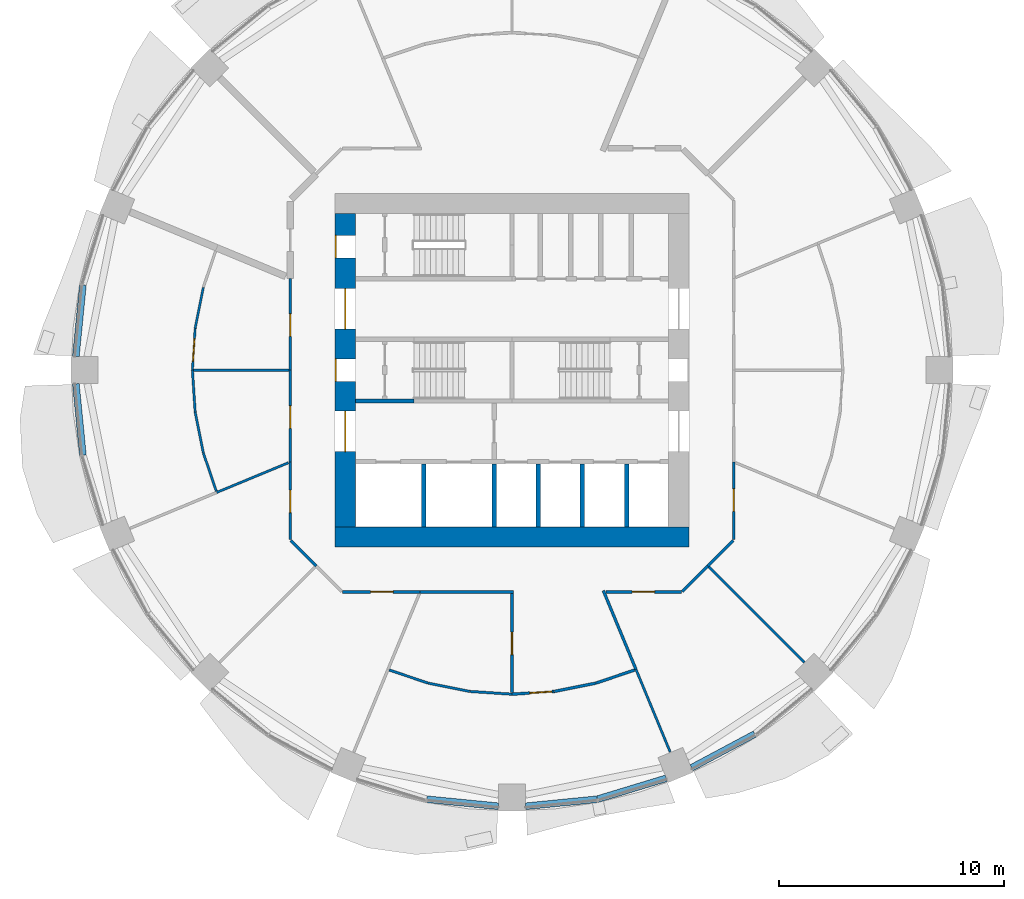
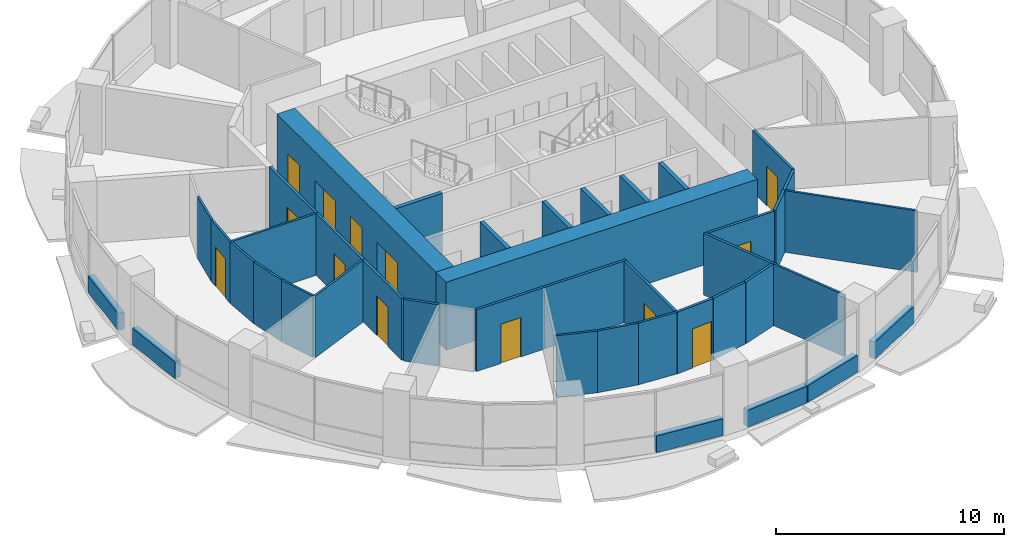
# One storey, part 8 of 15: 41 walls, 13 doors, 13 openings.
"""IFC4 building model written with IfcOpenShell, lengths in metres."""

from ifc_helpers import new_model, si_unit, direction, frame, frame_2d, origin, place, context, subcontext, project, spatial, rectangle, extrude, material, layer, layer_set, type_object, element, fill, save


model = new_model("IFC4")

# Units and contexts
model_context = context("Model", 3, precision=1e-05, world=origin(), true_north=direction((0.0, 1.0)))
body_context = subcontext(model_context, "Body", "Model", "MODEL_VIEW")
ifc_project = project(units=[si_unit("LENGTHUNIT", "METRE"), si_unit("AREAUNIT", "SQUARE_METRE"), si_unit("VOLUMEUNIT", "CUBIC_METRE"), si_unit("PLANEANGLEUNIT", "RADIAN"), si_unit("MASSUNIT", "GRAM", prefix="KILO")], contexts=[model_context])

# Site, building, storey
site_placement = place(None, origin())
site = spatial("IfcSite", under=ifc_project, at=site_placement, CompositionType="ELEMENT")
building_placement = place(site_placement, origin())
building = spatial("IfcBuilding", under=site, at=building_placement, Name="Polderwave Tower", CompositionType="ELEMENT")
storey_placement = place(building_placement, frame((0.0, 0.0, 55.39990234375)))
storey = spatial("IfcBuildingStorey", under=building, at=storey_placement, Name="L14", CompositionType="ELEMENT", Elevation=55.39990234375)

# Wall
ifc_material_1 = material(Name="Concrete C80/95", Category="concrete")
ifc_layer_1 = layer(ifc_material_1, 0.89990234375)
ifc_layer_set_1 = layer_set([ifc_layer_1], Name="CORE WALL 900 C80/95")
wall_type_1 = type_object("IfcWallType", Name="CORE WALL 900 C80/95", PredefinedType="SHEAR", material=ifc_layer_set_1)
wall_1_placement = place(storey_placement, frame((-7.8740234375, -7.424072265625, 0.0), z_axis=(0.0, 0.0, 1.0), x_axis=(1.0, 0.0, 0.0)))
element("IfcWall", 1, at=wall_1_placement, inside=storey, type_object=wall_type_1, Name="ST-CORE-L14-S", PredefinedType="SHEAR", context=body_context, shape_type="SweptSolid", body=[
    extrude(rectangle(XDim=15.748046875, YDim=0.89990234375, at=frame_2d((7.8740234375, 0.0))), origin(), (0.0, 0.0, 1.0), 3.650146484375),
])

# Wall, openings, doors
wall_2_placement = place(storey_placement, frame((-7.424072265625, -6.97412109375, 0.0), z_axis=(0.0, 0.0, 1.0), x_axis=(0.0, 1.0, 0.0)))
wall_2 = element("IfcWall", 2, at=wall_2_placement, inside=storey, type_object=wall_type_1, Name="ST-CORE-L14-W", PredefinedType="SHEAR", context=body_context, shape_type="SweptSolid", body=[
    extrude(rectangle(XDim=13.9482421875, YDim=0.89990234375, at=frame_2d((6.97412109375, 0.0))), origin(), (0.0, 0.0, 1.0), 3.650146484375),
])
opening_1_placement = place(wall_2_placement, frame((6.47412109375, 0.0, 0.0)))
opening_1 = element("IfcOpeningElement", 3, at=opening_1_placement, cuts=wall_2, Name="Opening L14-D19", PredefinedType="OPENING", context=body_context, shape_type="SweptSolid", body=[
    extrude(rectangle(XDim=1.0, YDim=2.10009765625, at=frame_2d((0.5, 1.050048828125))), frame((0.0, 0.4599609375, 0.0), z_axis=(0.0, -1.0, 0.0), x_axis=(1.0, 0.0, 0.0)), (0.0, 0.0, 1.0), 0.919921875),
])
opening_2_placement = place(wall_2_placement, frame((3.349609375, 0.0, 0.0)))
opening_2 = element("IfcOpeningElement", 4, at=opening_2_placement, cuts=wall_2, Name="Opening L14-D20", PredefinedType="OPENING", context=body_context, shape_type="SweptSolid", body=[
    extrude(rectangle(XDim=1.800048828125, YDim=2.10009765625, at=frame_2d((0.89990234375, 1.050048828125))), frame((0.0, 0.4599609375, 0.0), z_axis=(0.0, -1.0, 0.0), x_axis=(1.0, 0.0, 0.0)), (0.0, 0.0, 1.0), 0.919921875),
])
opening_3_placement = place(wall_2_placement, frame((8.798583984375, 0.0, 0.0)))
opening_3 = element("IfcOpeningElement", 5, at=opening_3_placement, cuts=wall_2, Name="Opening L14-D21", PredefinedType="OPENING", context=body_context, shape_type="SweptSolid", body=[
    extrude(rectangle(XDim=1.800048828125, YDim=2.10009765625, at=frame_2d((0.89990234375, 1.050048828125))), frame((0.0, 0.4599609375, 0.0), z_axis=(0.0, -1.0, 0.0), x_axis=(1.0, 0.0, 0.0)), (0.0, 0.0, 1.0), 0.919921875),
])
opening_4_placement = place(wall_2_placement, frame((11.97412109375, 0.0, 0.0)))
opening_4 = element("IfcOpeningElement", 6, at=opening_4_placement, cuts=wall_2, Name="Opening L14-D22", PredefinedType="OPENING", context=body_context, shape_type="SweptSolid", body=[
    extrude(rectangle(XDim=1.0, YDim=2.10009765625, at=frame_2d((0.5, 1.050048828125))), frame((0.0, 0.4599609375, 0.0), z_axis=(0.0, -1.0, 0.0), x_axis=(1.0, 0.0, 0.0)), (0.0, 0.0, 1.0), 0.919921875),
])
ifc_material_2 = material(Name="Steel fire door", Category="steel")
door_type_1 = type_object("IfcDoorType", Name="Lobby entry door pair 1800", OperationType="DOUBLE_DOOR_SINGLE_SWING", PredefinedType="DOOR", material=ifc_material_2)
door_1_placement = place(opening_2_placement, origin())
door_1 = element("IfcDoor", 7, at=door_1_placement, inside=storey, type_object=door_type_1, Name="Fire-fighting lobby entry door", OperationType="DOUBLE_DOOR_SINGLE_SWING", OverallHeight=2.10009765625, OverallWidth=1.800048828125, PredefinedType="DOOR", context=body_context, shape_type="SweptSolid", body=[
    extrude(rectangle(XDim=1.800048828125, YDim=2.10009765625, at=frame_2d((0.89990234375, 1.050048828125))), frame((0.0, 0.02490234375, 0.0), z_axis=(0.0, -1.0, 0.0), x_axis=(1.0, 0.0, 0.0)), (0.0, 0.0, 1.0), 0.050048828125),
])
fill(opening_2, door_1)
door_2_placement = place(opening_3_placement, origin())
door_2 = element("IfcDoor", 8, at=door_2_placement, inside=storey, type_object=door_type_1, Name="North lobby entry door", OperationType="DOUBLE_DOOR_SINGLE_SWING", OverallHeight=2.10009765625, OverallWidth=1.800048828125, PredefinedType="DOOR", context=body_context, shape_type="SweptSolid", body=[
    extrude(rectangle(XDim=1.800048828125, YDim=2.10009765625, at=frame_2d((0.89990234375, 1.050048828125))), frame((0.0, 0.02490234375, 0.0), z_axis=(0.0, -1.0, 0.0), x_axis=(1.0, 0.0, 0.0)), (0.0, 0.0, 1.0), 0.050048828125),
])
fill(opening_3, door_2)
door_type_2 = type_object("IfcDoorType", Name="Stair door 1000", OperationType="NOTDEFINED", PredefinedType="DOOR", material=ifc_material_2)
door_3_placement = place(opening_1_placement, origin())
door_3 = element("IfcDoor", 9, at=door_3_placement, inside=storey, type_object=door_type_2, Name="Stair A entry door", OperationType="SINGLE_SWING_RIGHT", OverallHeight=2.10009765625, OverallWidth=1.0, PredefinedType="DOOR", context=body_context, shape_type="SweptSolid", body=[
    extrude(rectangle(XDim=1.0, YDim=2.10009765625, at=frame_2d((0.5, 1.050048828125))), frame((0.0, 0.4501953125, 0.0), z_axis=(0.0, -1.0, 0.0), x_axis=(1.0, 0.0, 0.0)), (0.0, 0.0, 1.0), 0.050048828125),
])
fill(opening_1, door_3)
door_4_placement = place(opening_4_placement, origin())
door_4 = element("IfcDoor", 10, at=door_4_placement, inside=storey, type_object=door_type_2, Name="Stair C entry door", OperationType="SINGLE_SWING_RIGHT", OverallHeight=2.10009765625, OverallWidth=1.0, PredefinedType="DOOR", context=body_context, shape_type="SweptSolid", body=[
    extrude(rectangle(XDim=1.0, YDim=2.10009765625, at=frame_2d((0.5, 1.050048828125))), frame((0.0, 0.4501953125, 0.0), z_axis=(0.0, -1.0, 0.0), x_axis=(1.0, 0.0, 0.0)), (0.0, 0.0, 1.0), 0.050048828125),
])
fill(opening_4, door_4)

# Walls
ifc_material_3 = material(Name="Concrete C50/60 (board-marked)", Category="concrete")
ifc_layer_2 = layer(ifc_material_3, 0.300048828125)
ifc_layer_set_2 = layer_set([ifc_layer_2], Name="Concrete spandrel upstand C50/60")
wall_type_2 = type_object("IfcWallType", Name="Concrete spandrel upstand C50/60", PredefinedType="SOLIDWALL", material=ifc_layer_set_2)
for number, where, z_axis, x_axis, name in (
    (11, (-19.107421875, 3.78515625, 0.0), (0.0, 0.0, 1.0), (-0.097880808755, -0.995198144732, 0.0), "Spandrel L14 8b"),
    (12, (-19.41943359375, -0.61279296875, 0.0), (0.0, 0.0, 1.0), (0.097880808755, -0.995198144732, 0.0), "Spandrel L14 9a"),
    (13, (-3.78515625, -19.107421875, 0.0), (0.0, 0.0, 1.0), (0.995198144732, -0.097880808755, 0.0), "Spandrel L14 12b"),
    (14, (0.61279296875, -19.41943359375, 0.0), (0.0, 0.0, 1.0), (0.995198144732, 0.097880808755, 0.0), "Spandrel L14 13a"),
):
    element("IfcWall", number, at=place(storey_placement, frame(where, z_axis=z_axis, x_axis=x_axis)), inside=storey, type_object=wall_type_2, Name=name, PredefinedType="SOLIDWALL", context=body_context, shape_type="SweptSolid", body=[
        extrude(rectangle(XDim=3.187744140625, YDim=0.300048828125, at=frame_2d((1.59375, 0.0))), origin(), (0.0, 0.0, 1.0), 0.900146484375),
    ])
wall_3_placement = place(storey_placement, frame((3.814453125, -19.1015625, 0.0), z_axis=(0.0, 0.0, 1.0), x_axis=(0.956849017819, 0.290585541792, 0.0)))
element("IfcWall", 15, at=wall_3_placement, inside=storey, type_object=wall_type_2, Name="Spandrel L14 13b", PredefinedType="SOLIDWALL", context=body_context, shape_type="SweptSolid", body=[
    extrude(rectangle(XDim=3.1875, YDim=0.300048828125, at=frame_2d((1.59375, 0.0))), origin(), (0.0, 0.0, 1.0), 0.900146484375),
])
wall_4_placement = place(storey_placement, frame((7.998291015625, -17.705810546875, 0.0), z_axis=(0.0, 0.0, 1.0), x_axis=(0.881994263934, 0.471260138764, 0.0)))
element("IfcWall", 16, at=wall_4_placement, inside=storey, type_object=wall_type_2, Name="Spandrel L14 14a", PredefinedType="SOLIDWALL", context=body_context, shape_type="SweptSolid", body=[
    extrude(rectangle(XDim=3.1865234375, YDim=0.300048828125, at=frame_2d((1.59326171875, 0.0))), origin(), (0.0, 0.0, 1.0), 0.900146484375),
])
ifc_material_4 = material(Name="Concrete C50/60", Category="concrete")
ifc_layer_3 = layer(ifc_material_4, 0.199951171875)
ifc_layer_set_3 = layer_set([ifc_layer_3], Name="Core web wall 200")
wall_type_3 = type_object("IfcWallType", Name="Core web wall 200", PredefinedType="SHEAR", material=ifc_layer_set_3)
wall_5_placement = place(storey_placement, frame((-6.97412109375, -1.375, 0.0), z_axis=(0.0, 0.0, 1.0), x_axis=(1.0, 0.0, 0.0)))
element("IfcWall", 17, at=wall_5_placement, inside=storey, type_object=wall_type_3, Name="L14 south stair wall 1", PredefinedType="SHEAR", context=body_context, shape_type="SweptSolid", body=[
    extrude(rectangle(XDim=2.60009765625, YDim=0.199951171875, at=frame_2d((1.300048828125, 0.0))), origin(), (0.0, 0.0, 1.0), 3.300048828125),
])
ifc_material_5 = material(Name="Fire-resisting board on steel studs", Category="steel")
ifc_layer_4 = layer(ifc_material_5, 0.125)
ifc_layer_set_4 = layer_set([ifc_layer_4], Name="Corridor wall 125 mm EI 60")
wall_type_4 = type_object("IfcWallType", Name="Corridor wall 125 mm EI 60", PredefinedType="PARTITIONING", material=ifc_layer_set_4)
wall_6_placement = place(storey_placement, frame((9.855712890625, -7.58935546875, 0.0), z_axis=(0.0, 0.0, 1.0), x_axis=(-0.70718294931, -0.707030604857, 0.0)))
element("IfcWall", 18, at=wall_6_placement, inside=storey, type_object=wall_type_4, Name="IN-L14-W004", PredefinedType="PARTITIONING", context=body_context, shape_type="SweptSolid", body=[
    extrude(rectangle(XDim=1.6025390625, YDim=0.125, at=frame_2d((0.80126953125, 0.0))), origin(), (0.0, 0.0, 1.0), 3.300048828125),
])

# Wall, opening, door
wall_7_placement = place(storey_placement, frame((9.8740234375, -4.08984375, 0.0), z_axis=(0.0, 0.0, 1.0), x_axis=(0.0, -1.0, 0.0)))
wall_7 = element("IfcWall", 19, at=wall_7_placement, inside=storey, type_object=wall_type_4, Name="IN-L14-W005", PredefinedType="PARTITIONING", context=body_context, shape_type="SweptSolid", body=[
    extrude(rectangle(XDim=3.455322265625, YDim=0.125, at=frame_2d((1.7275390625, 0.0))), origin(), (0.0, 0.0, 1.0), 3.300048828125),
])
opening_5_placement = place(wall_7_placement, frame((1.199951171875, 0.0, 0.0)))
opening_5 = element("IfcOpeningElement", 20, at=opening_5_placement, cuts=wall_7, Name="Opening L14-D52", PredefinedType="OPENING", context=body_context, shape_type="SweptSolid", body=[
    extrude(rectangle(XDim=1.0, YDim=2.10009765625, at=frame_2d((0.5, 1.050048828125))), frame((0.0, 0.072509765625, 0.0), z_axis=(0.0, -1.0, 0.0), x_axis=(1.0, 0.0, 0.0)), (0.0, 0.0, 1.0), 0.14501953125),
])
ifc_material_6 = material(Name="Timber fire door leaf", Category="wood")
door_type_3 = type_object("IfcDoorType", Name="Fire door FD30S 1000 x 2100", OperationType="NOTDEFINED", PredefinedType="DOOR", material=ifc_material_6)
door_5_placement = place(opening_5_placement, origin())
door_5 = element("IfcDoor", 21, at=door_5_placement, inside=storey, type_object=door_type_3, Name="Door L14-D52", OperationType="SINGLE_SWING_LEFT", OverallHeight=2.10009765625, OverallWidth=1.0, PredefinedType="DOOR", context=body_context, shape_type="SweptSolid", body=[
    extrude(rectangle(XDim=1.0, YDim=2.10009765625, at=frame_2d((0.5, 1.050048828125))), frame((0.0, 0.02490234375, 0.0), z_axis=(0.0, -1.0, 0.0), x_axis=(1.0, 0.0, 0.0)), (0.0, 0.0, 1.0), 0.050048828125),
])
fill(opening_5, door_5)

wall_8_placement = place(storey_placement, frame((-9.8740234375, 0.0, 0.0), z_axis=(0.0, 0.0, 1.0), x_axis=(0.0, 1.0, 0.0)))
wall_8 = element("IfcWall", 22, at=wall_8_placement, inside=storey, type_object=wall_type_4, Name="IN-L14-W013", PredefinedType="PARTITIONING", context=body_context, shape_type="SweptSolid", body=[
    extrude(rectangle(XDim=4.08984375, YDim=0.125, at=frame_2d((2.044921875, 0.0))), origin(), (0.0, 0.0, 1.0), 3.300048828125),
])
opening_6_placement = place(wall_8_placement, frame((1.5, 0.0, 0.0)))
opening_6 = element("IfcOpeningElement", 23, at=opening_6_placement, cuts=wall_8, Name="Opening L14-D57", PredefinedType="OPENING", context=body_context, shape_type="SweptSolid", body=[
    extrude(rectangle(XDim=1.0, YDim=2.10009765625, at=frame_2d((0.5, 1.050048828125))), frame((0.0, 0.072509765625, 0.0), z_axis=(0.0, -1.0, 0.0), x_axis=(1.0, 0.0, 0.0)), (0.0, 0.0, 1.0), 0.14501953125),
])
door_6_placement = place(opening_6_placement, origin())
door_6 = element("IfcDoor", 24, at=door_6_placement, inside=storey, type_object=door_type_3, Name="Door L14-D57", OperationType="SINGLE_SWING_LEFT", OverallHeight=2.10009765625, OverallWidth=1.0, PredefinedType="DOOR", context=body_context, shape_type="SweptSolid", body=[
    extrude(rectangle(XDim=1.0, YDim=2.10009765625, at=frame_2d((0.5, 1.050048828125))), frame((0.0, 0.02490234375, 0.0), z_axis=(0.0, -1.0, 0.0), x_axis=(1.0, 0.0, 0.0)), (0.0, 0.0, 1.0), 0.050048828125),
])
fill(opening_6, door_6)

wall_9_placement = place(storey_placement, frame((-9.8740234375, -4.08984375, 0.0), z_axis=(0.0, 0.0, 1.0), x_axis=(0.0, 1.0, 0.0)))
wall_9 = element("IfcWall", 25, at=wall_9_placement, inside=storey, type_object=wall_type_4, Name="IN-L14-W014", PredefinedType="PARTITIONING", context=body_context, shape_type="SweptSolid", body=[
    extrude(rectangle(XDim=4.08984375, YDim=0.125, at=frame_2d((2.044921875, 0.0))), origin(), (0.0, 0.0, 1.0), 3.300048828125),
])
opening_7_placement = place(wall_9_placement, frame((1.5, 0.0, 0.0)))
opening_7 = element("IfcOpeningElement", 26, at=opening_7_placement, cuts=wall_9, Name="Opening L14-D58", PredefinedType="OPENING", context=body_context, shape_type="SweptSolid", body=[
    extrude(rectangle(XDim=1.0, YDim=2.10009765625, at=frame_2d((0.5, 1.050048828125))), frame((0.0, 0.072509765625, 0.0), z_axis=(0.0, -1.0, 0.0), x_axis=(1.0, 0.0, 0.0)), (0.0, 0.0, 1.0), 0.14501953125),
])
door_7_placement = place(opening_7_placement, origin())
door_7 = element("IfcDoor", 27, at=door_7_placement, inside=storey, type_object=door_type_3, Name="Door L14-D58", OperationType="SINGLE_SWING_LEFT", OverallHeight=2.10009765625, OverallWidth=1.0, PredefinedType="DOOR", context=body_context, shape_type="SweptSolid", body=[
    extrude(rectangle(XDim=1.0, YDim=2.10009765625, at=frame_2d((0.5, 1.050048828125))), frame((0.0, 0.02490234375, 0.0), z_axis=(0.0, -1.0, 0.0), x_axis=(1.0, 0.0, 0.0)), (0.0, 0.0, 1.0), 0.050048828125),
])
fill(opening_7, door_7)

wall_10_placement = place(storey_placement, frame((-9.8740234375, -7.545166015625, 0.0), z_axis=(0.0, 0.0, 1.0), x_axis=(0.0, 1.0, 0.0)))
wall_10 = element("IfcWall", 28, at=wall_10_placement, inside=storey, type_object=wall_type_4, Name="IN-L14-W015", PredefinedType="PARTITIONING", context=body_context, shape_type="SweptSolid", body=[
    extrude(rectangle(XDim=3.455322265625, YDim=0.125, at=frame_2d((1.7275390625, 0.0))), origin(), (0.0, 0.0, 1.0), 3.300048828125),
])
opening_8_placement = place(wall_10_placement, frame((1.199951171875, 0.0, 0.0)))
opening_8 = element("IfcOpeningElement", 29, at=opening_8_placement, cuts=wall_10, Name="Opening L14-D59", PredefinedType="OPENING", context=body_context, shape_type="SweptSolid", body=[
    extrude(rectangle(XDim=1.0, YDim=2.10009765625, at=frame_2d((0.5, 1.050048828125))), frame((0.0, 0.072509765625, 0.0), z_axis=(0.0, -1.0, 0.0), x_axis=(1.0, 0.0, 0.0)), (0.0, 0.0, 1.0), 0.14501953125),
])
door_8_placement = place(opening_8_placement, origin())
door_8 = element("IfcDoor", 30, at=door_8_placement, inside=storey, type_object=door_type_3, Name="Door L14-D59", OperationType="SINGLE_SWING_LEFT", OverallHeight=2.10009765625, OverallWidth=1.0, PredefinedType="DOOR", context=body_context, shape_type="SweptSolid", body=[
    extrude(rectangle(XDim=1.0, YDim=2.10009765625, at=frame_2d((0.5, 1.050048828125))), frame((0.0, 0.02490234375, 0.0), z_axis=(0.0, -1.0, 0.0), x_axis=(1.0, 0.0, 0.0)), (0.0, 0.0, 1.0), 0.050048828125),
])
fill(opening_8, door_8)

# Wall
wall_11_placement = place(storey_placement, frame((-8.722412109375, -8.722412109375, 0.0), z_axis=(0.0, 0.0, 1.0), x_axis=(-0.70718294931, 0.707030604857, 0.0)))
element("IfcWall", 31, at=wall_11_placement, inside=storey, type_object=wall_type_4, Name="IN-L14-W016", PredefinedType="PARTITIONING", context=body_context, shape_type="SweptSolid", body=[
    extrude(rectangle(XDim=1.6025390625, YDim=0.125, at=frame_2d((0.80126953125, 0.0))), origin(), (0.0, 0.0, 1.0), 3.300048828125),
])

# Wall, opening, door
wall_12_placement = place(storey_placement, frame((-4.08984375, -9.8740234375, 0.0), z_axis=(0.0, 0.0, 1.0), x_axis=(-1.0, 0.0, 0.0)))
wall_12 = element("IfcWall", 32, at=wall_12_placement, inside=storey, type_object=wall_type_4, Name="IN-L14-W018", PredefinedType="PARTITIONING", context=body_context, shape_type="SweptSolid", body=[
    extrude(rectangle(XDim=3.455322265625, YDim=0.125, at=frame_2d((1.7275390625, 0.0))), origin(), (0.0, 0.0, 1.0), 3.300048828125),
])
opening_9_placement = place(wall_12_placement, frame((1.199951171875, 0.0, 0.0)))
opening_9 = element("IfcOpeningElement", 33, at=opening_9_placement, cuts=wall_12, Name="Opening L14-D60", PredefinedType="OPENING", context=body_context, shape_type="SweptSolid", body=[
    extrude(rectangle(XDim=1.0, YDim=2.10009765625, at=frame_2d((0.5, 1.050048828125))), frame((0.0, 0.072509765625, 0.0), z_axis=(0.0, -1.0, 0.0), x_axis=(1.0, 0.0, 0.0)), (0.0, 0.0, 1.0), 0.14501953125),
])
door_9_placement = place(opening_9_placement, origin())
door_9 = element("IfcDoor", 34, at=door_9_placement, inside=storey, type_object=door_type_3, Name="Door L14-D60", OperationType="SINGLE_SWING_LEFT", OverallHeight=2.10009765625, OverallWidth=1.0, PredefinedType="DOOR", context=body_context, shape_type="SweptSolid", body=[
    extrude(rectangle(XDim=1.0, YDim=2.10009765625, at=frame_2d((0.5, 1.050048828125))), frame((0.0, 0.02490234375, 0.0), z_axis=(0.0, -1.0, 0.0), x_axis=(1.0, 0.0, 0.0)), (0.0, 0.0, 1.0), 0.050048828125),
])
fill(opening_9, door_9)

# Wall
wall_13_placement = place(storey_placement, frame((0.0625, -9.8740234375, 0.0), z_axis=(0.0, 0.0, 1.0), x_axis=(-1.0, 0.0, 0.0)))
element("IfcWall", 35, at=wall_13_placement, inside=storey, type_object=wall_type_4, Name="IN-L14-W019", PredefinedType="PARTITIONING", context=body_context, shape_type="SweptSolid", body=[
    extrude(rectangle(XDim=4.15234375, YDim=0.125, at=frame_2d((2.076171875, 0.0))), origin(), (0.0, 0.0, 1.0), 3.300048828125),
])

# Wall, opening, door
wall_14_placement = place(storey_placement, frame((7.545166015625, -9.8740234375, 0.0), z_axis=(0.0, 0.0, 1.0), x_axis=(-1.0, 0.0, 0.0)))
wall_14 = element("IfcWall", 36, at=wall_14_placement, inside=storey, type_object=wall_type_4, Name="IN-L14-W020", PredefinedType="PARTITIONING", context=body_context, shape_type="SweptSolid", body=[
    extrude(rectangle(XDim=3.36181640625, YDim=0.125, at=frame_2d((1.680908203125, 0.0))), origin(), (0.0, 0.0, 1.0), 3.300048828125),
])
opening_10_placement = place(wall_14_placement, frame((1.199951171875, 0.0, 0.0)))
opening_10 = element("IfcOpeningElement", 37, at=opening_10_placement, cuts=wall_14, Name="Opening L14-D61", PredefinedType="OPENING", context=body_context, shape_type="SweptSolid", body=[
    extrude(rectangle(XDim=1.0, YDim=2.10009765625, at=frame_2d((0.5, 1.050048828125))), frame((0.0, 0.072509765625, 0.0), z_axis=(0.0, -1.0, 0.0), x_axis=(1.0, 0.0, 0.0)), (0.0, 0.0, 1.0), 0.14501953125),
])
door_10_placement = place(opening_10_placement, origin())
door_10 = element("IfcDoor", 38, at=door_10_placement, inside=storey, type_object=door_type_3, Name="Door L14-D61", OperationType="SINGLE_SWING_RIGHT", OverallHeight=2.10009765625, OverallWidth=1.0, PredefinedType="DOOR", context=body_context, shape_type="SweptSolid", body=[
    extrude(rectangle(XDim=1.0, YDim=2.10009765625, at=frame_2d((0.5, 1.050048828125))), frame((0.0, 0.02490234375, 0.0), z_axis=(0.0, -1.0, 0.0), x_axis=(1.0, 0.0, 0.0)), (0.0, 0.0, 1.0), 0.050048828125),
])
fill(opening_10, door_10)

# Wall
wall_15_placement = place(storey_placement, frame((8.722412109375, -8.722412109375, 0.0), z_axis=(0.0, 0.0, 1.0), x_axis=(-0.707030604857, -0.70718294931, 0.0)))
element("IfcWall", 39, at=wall_15_placement, inside=storey, type_object=wall_type_4, Name="IN-L14-W021", PredefinedType="PARTITIONING", context=body_context, shape_type="SweptSolid", body=[
    extrude(rectangle(XDim=1.6025390625, YDim=0.125, at=frame_2d((0.80126953125, 0.0))), origin(), (0.0, 0.0, 1.0), 3.300048828125),
])

# Wall, opening, door
wall_16_placement = place(storey_placement, frame((0.0, -14.36328125, 0.0), z_axis=(0.0, 0.0, 1.0), x_axis=(0.0, 1.0, 0.0)))
wall_16 = element("IfcWall", 40, at=wall_16_placement, inside=storey, type_object=wall_type_4, Name="IN-L14-W062", PredefinedType="PARTITIONING", context=body_context, shape_type="SweptSolid", body=[
    extrude(rectangle(XDim=4.4267578125, YDim=0.125, at=frame_2d((2.21337890625, 0.0))), origin(), (0.0, 0.0, 1.0), 3.300048828125),
])
opening_11_placement = place(wall_16_placement, frame((1.699951171875, 0.0, 0.0)))
opening_11 = element("IfcOpeningElement", 41, at=opening_11_placement, cuts=wall_16, Name="Opening L14-D66", PredefinedType="OPENING", context=body_context, shape_type="SweptSolid", body=[
    extrude(rectangle(XDim=1.0, YDim=2.10009765625, at=frame_2d((0.5, 1.050048828125))), frame((0.0, 0.072509765625, 0.0), z_axis=(0.0, -1.0, 0.0), x_axis=(1.0, 0.0, 0.0)), (0.0, 0.0, 1.0), 0.14501953125),
])
door_11_placement = place(opening_11_placement, origin())
door_11 = element("IfcDoor", 42, at=door_11_placement, inside=storey, type_object=door_type_3, Name="Door L14-D66", OperationType="SINGLE_SWING_LEFT", OverallHeight=2.10009765625, OverallWidth=1.0, PredefinedType="DOOR", context=body_context, shape_type="SweptSolid", body=[
    extrude(rectangle(XDim=1.0, YDim=2.10009765625, at=frame_2d((0.5, 1.050048828125))), frame((0.0, 0.02490234375, 0.0), z_axis=(0.0, -1.0, 0.0), x_axis=(1.0, 0.0, 0.0)), (0.0, 0.0, 1.0), 0.050048828125),
])
fill(opening_11, door_11)

wall_17_placement = place(storey_placement, frame((1.87939453125, -14.306884765625, 0.0), z_axis=(0.0, 0.0, 1.0), x_axis=(-0.997863603838, -0.065331677882, 0.0)))
wall_17 = element("IfcWall", 43, at=wall_17_placement, inside=storey, type_object=wall_type_4, Name="IN-L14-W063", PredefinedType="PARTITIONING", context=body_context, shape_type="SweptSolid", body=[
    extrude(rectangle(XDim=1.88330078125, YDim=0.125, at=frame_2d((0.941650390625, 0.0))), origin(), (0.0, 0.0, 1.0), 3.300048828125),
])
opening_12_placement = place(wall_17_placement, frame((0.10009765625, 0.0, 0.0)))
opening_12 = element("IfcOpeningElement", 44, at=opening_12_placement, cuts=wall_17, Name="Opening L14-D67", PredefinedType="OPENING", context=body_context, shape_type="SweptSolid", body=[
    extrude(rectangle(XDim=1.0, YDim=2.10009765625, at=frame_2d((0.5, 1.050048828125))), frame((0.0, 0.072509765625, 0.0), z_axis=(0.0, -1.0, 0.0), x_axis=(1.0, 0.0, 0.0)), (0.0, 0.0, 1.0), 0.14501953125),
])
door_12_placement = place(opening_12_placement, origin())
door_12 = element("IfcDoor", 45, at=door_12_placement, inside=storey, type_object=door_type_3, Name="Door L14-D67", OperationType="SINGLE_SWING_LEFT", OverallHeight=2.10009765625, OverallWidth=1.0, PredefinedType="DOOR", context=body_context, shape_type="SweptSolid", body=[
    extrude(rectangle(XDim=1.0, YDim=2.10009765625, at=frame_2d((0.5, 1.050048828125))), frame((0.0, 0.02490234375, 0.0), z_axis=(0.0, -1.0, 0.0), x_axis=(1.0, 0.0, 0.0)), (0.0, 0.0, 1.0), 0.050048828125),
])
fill(opening_12, door_12)

# Walls
wall_18_placement = place(storey_placement, frame((1.887451171875, -14.3056640625, 0.0), z_axis=(0.0, 0.0, 1.0), x_axis=(0.980804871908, 0.194991803011, 0.0)))
element("IfcWall", 46, at=wall_18_placement, inside=storey, type_object=wall_type_4, Name="IN-L14-W064", PredefinedType="PARTITIONING", context=body_context, shape_type="SweptSolid", body=[
    extrude(rectangle(XDim=1.87939453125, YDim=0.125, at=frame_2d((0.939697265625, 0.0))), origin(), (0.0, 0.0, 1.0), 3.300048828125),
])
wall_19_placement = place(storey_placement, frame((3.73876953125, -13.93701171875, 0.0), z_axis=(0.0, 0.0, 1.0), x_axis=(0.946921731465, 0.32146420404, 0.0)))
element("IfcWall", 47, at=wall_19_placement, inside=storey, type_object=wall_type_4, Name="IN-L14-W065", PredefinedType="PARTITIONING", context=body_context, shape_type="SweptSolid", body=[
    extrude(rectangle(XDim=1.816650390625, YDim=0.125, at=frame_2d((0.908203125, 0.0))), origin(), (0.0, 0.0, 1.0), 3.300048828125),
])
wall_20_placement = place(storey_placement, frame((4.06591796875, -9.81640625, 0.0), z_axis=(0.0, 0.0, 1.0), x_axis=(0.382746586719, -0.923853370592, 0.0)))
element("IfcWall", 48, at=wall_20_placement, inside=storey, type_object=wall_type_4, Name="IN-L14-W067", PredefinedType="PARTITIONING", context=body_context, shape_type="SweptSolid", body=[
    extrude(rectangle(XDim=3.804931640625, YDim=0.125, at=frame_2d((1.90234375, 0.0))), origin(), (0.0, 0.0, 1.0), 3.300048828125),
])

# Wall, opening, door
ifc_material_7 = material(Name="Plasterboard on steel studs", Category="steel")
ifc_layer_5 = layer(ifc_material_7, 0.10009765625)
ifc_layer_set_5 = layer_set([ifc_layer_5], Name="Partition 100 mm plasterboard on steel studs")
wall_type_5 = type_object("IfcWallType", Name="Partition 100 mm plasterboard on steel studs", PredefinedType="PARTITIONING", material=ifc_layer_set_5)
wall_21_placement = place(storey_placement, frame((-14.22998046875, 0.0, 0.0), z_axis=(0.0, 0.0, 1.0), x_axis=(0.065437532333, 0.997856667745, 0.0)))
wall_21 = element("IfcWall", 49, at=wall_21_placement, inside=storey, type_object=wall_type_5, Name="IN-L14-W047", PredefinedType="PARTITIONING", context=body_context, shape_type="SweptSolid", body=[
    extrude(rectangle(XDim=1.85791015625, YDim=0.10009765625, at=frame_2d((0.928955078125, 0.0))), origin(), (0.0, 0.0, 1.0), 3.300048828125),
])
opening_13_placement = place(wall_21_placement, frame((0.39990234375, 0.0, 0.0)))
opening_13 = element("IfcOpeningElement", 50, at=opening_13_placement, cuts=wall_21, Name="Opening L14-D65", PredefinedType="OPENING", context=body_context, shape_type="SweptSolid", body=[
    extrude(rectangle(XDim=1.0, YDim=2.10009765625, at=frame_2d((0.5, 1.050048828125))), frame((0.0, 0.06005859375, 0.0), z_axis=(0.0, -1.0, 0.0), x_axis=(1.0, 0.0, 0.0)), (0.0, 0.0, 1.0), 0.1201171875),
])
ifc_material_8 = material(Name="Timber veneer door leaf", Category="wood")
door_type_4 = type_object("IfcDoorType", Name="Single door 1000 x 2100", OperationType="NOTDEFINED", PredefinedType="DOOR", material=ifc_material_8)
door_13_placement = place(opening_13_placement, origin())
door_13 = element("IfcDoor", 51, at=door_13_placement, inside=storey, type_object=door_type_4, Name="Door L14-D65", OperationType="SINGLE_SWING_LEFT", OverallHeight=2.10009765625, OverallWidth=1.0, PredefinedType="DOOR", context=body_context, shape_type="SweptSolid", body=[
    extrude(rectangle(XDim=1.0, YDim=2.10009765625, at=frame_2d((0.5, 1.050048828125))), frame((0.0, 0.02490234375, 0.0), z_axis=(0.0, -1.0, 0.0), x_axis=(1.0, 0.0, 0.0)), (0.0, 0.0, 1.0), 0.050048828125),
])
fill(opening_13, door_13)

# Walls
wall_22_placement = place(storey_placement, frame((-14.107666015625, 1.860595703125, 0.0), z_axis=(0.0, 0.0, 1.0), x_axis=(0.195204777565, 0.980762506836, 0.0)))
element("IfcWall", 52, at=wall_22_placement, inside=storey, type_object=wall_type_5, Name="IN-L14-W048", PredefinedType="PARTITIONING", context=body_context, shape_type="SweptSolid", body=[
    extrude(rectangle(XDim=1.854736328125, YDim=0.10009765625, at=frame_2d((0.92724609375, 0.0))), origin(), (0.0, 0.0, 1.0), 3.300048828125),
])
ifc_material_9 = material(Name="Moisture-resistant board on steel studs, tiled", Category="steel")
ifc_layer_6 = layer(ifc_material_9, 0.10498046875)
ifc_layer_set_6 = layer_set([ifc_layer_6], Name="Partition 105 mm wet room board and tile")
wall_type_6 = type_object("IfcWallType", Name="Partition 105 mm wet room board and tile", PredefinedType="PARTITIONING", material=ifc_layer_set_6)
wall_23_placement = place(storey_placement, frame((-9.9365234375, 0.0, 0.0), z_axis=(0.0, 0.0, 1.0), x_axis=(-1.0, 0.0, 0.0)))
element("IfcWall", 53, at=wall_23_placement, inside=storey, type_object=wall_type_6, Name="IN-L14-W050", PredefinedType="PARTITIONING", context=body_context, shape_type="SweptSolid", body=[
    extrude(rectangle(XDim=4.2373046875, YDim=0.10498046875, at=frame_2d((2.11865234375, 0.0))), origin(), (0.0, 0.0, 1.0), 3.300048828125),
])
wall_24_placement = place(storey_placement, frame((-14.22998046875, 0.0, 0.0), z_axis=(0.0, 0.0, 1.0), x_axis=(0.065437532333, -0.997856667745, 0.0)))
element("IfcWall", 54, at=wall_24_placement, inside=storey, type_object=wall_type_6, Name="IN-L14-W051", PredefinedType="PARTITIONING", context=body_context, shape_type="SweptSolid", body=[
    extrude(rectangle(XDim=1.85791015625, YDim=0.10498046875, at=frame_2d((0.928955078125, 0.0))), origin(), (0.0, 0.0, 1.0), 3.300048828125),
])
wall_25_placement = place(storey_placement, frame((-14.107666015625, -1.86083984375, 0.0), z_axis=(0.0, 0.0, 1.0), x_axis=(0.195103348377, -0.980782689209, 0.0)))
element("IfcWall", 55, at=wall_25_placement, inside=storey, type_object=wall_type_6, Name="IN-L14-W052", PredefinedType="PARTITIONING", context=body_context, shape_type="SweptSolid", body=[
    extrude(rectangle(XDim=1.8544921875, YDim=0.10498046875, at=frame_2d((0.92724609375, 0.0))), origin(), (0.0, 0.0, 1.0), 3.300048828125),
])
wall_26_placement = place(storey_placement, frame((-13.743896484375, -3.686279296875, 0.0), z_axis=(0.0, 0.0, 1.0), x_axis=(0.321433227273, -0.946932246998, 0.0)))
element("IfcWall", 56, at=wall_26_placement, inside=storey, type_object=wall_type_6, Name="IN-L14-W053", PredefinedType="PARTITIONING", context=body_context, shape_type="SweptSolid", body=[
    extrude(rectangle(XDim=1.79931640625, YDim=0.10498046875, at=frame_2d((0.899658203125, 0.0))), origin(), (0.0, 0.0, 1.0), 3.300048828125),
])
wall_27_placement = place(storey_placement, frame((-9.95654296875, -4.1240234375, 0.0), z_axis=(0.0, 0.0, 1.0), x_axis=(-0.923867748948, -0.382711879165, 0.0)))
element("IfcWall", 57, at=wall_27_placement, inside=storey, type_object=wall_type_6, Name="IN-L14-W055", PredefinedType="PARTITIONING", context=body_context, shape_type="SweptSolid", body=[
    extrude(rectangle(XDim=3.453125, YDim=0.10498046875, at=frame_2d((1.7265625, 0.0))), origin(), (0.0, 0.0, 1.0), 3.300048828125),
])
wall_28_placement = place(storey_placement, frame((5.522216796875, -13.33154296875, 0.0), z_axis=(0.0, 0.0, 1.0), x_axis=(0.382675844596, -0.923882675432, 0.0)))
element("IfcWall", 58, at=wall_28_placement, inside=storey, type_object=wall_type_6, Name="IN-L14-W066", PredefinedType="PARTITIONING", context=body_context, shape_type="SweptSolid", body=[
    extrude(rectangle(XDim=3.97021484375, YDim=0.10498046875, at=frame_2d((1.985107421875, 0.0))), origin(), (0.0, 0.0, 1.0), 3.300048828125),
])
wall_29_placement = place(storey_placement, frame((8.7666015625, -8.7666015625, 0.0), z_axis=(0.0, 0.0, 1.0), x_axis=(0.707106781187, -0.707106781187, 0.0)))
element("IfcWall", 59, at=wall_29_placement, inside=storey, type_object=wall_type_6, Name="IN-L14-W068", PredefinedType="PARTITIONING", context=body_context, shape_type="SweptSolid", body=[
    extrude(rectangle(XDim=6.002197265625, YDim=0.10498046875, at=frame_2d((3.0009765625, 0.0))), origin(), (0.0, 0.0, 1.0), 3.300048828125),
])
ifc_material_10 = material(Name="Acoustic double plasterboard on steel studs", Category="steel")
ifc_layer_7 = layer(ifc_material_10, 0.110107421875)
ifc_layer_set_7 = layer_set([ifc_layer_7], Name="Partition 110 mm acoustic double board")
wall_type_7 = type_object("IfcWallType", Name="Partition 110 mm acoustic double board", PredefinedType="PARTITIONING", material=ifc_layer_set_7)
wall_30_placement = place(storey_placement, frame((-3.73828125, -13.93701171875, 0.0), z_axis=(0.0, 0.0, 1.0), x_axis=(-0.94697070508, 0.321319908688, 0.0)))
element("IfcWall", 60, at=wall_30_placement, inside=storey, type_object=wall_type_7, Name="IN-L14-W059", PredefinedType="PARTITIONING", context=body_context, shape_type="SweptSolid", body=[
    extrude(rectangle(XDim=1.824951171875, YDim=0.110107421875, at=frame_2d((0.91259765625, 0.0))), origin(), (0.0, 0.0, 1.0), 3.300048828125),
])
wall_31_placement = place(storey_placement, frame((-1.886962890625, -14.305908203125, 0.0), z_axis=(0.0, 0.0, 1.0), x_axis=(-0.980774944963, 0.195142274593, 0.0)))
element("IfcWall", 61, at=wall_31_placement, inside=storey, type_object=wall_type_7, Name="IN-L14-W060", PredefinedType="PARTITIONING", context=body_context, shape_type="SweptSolid", body=[
    extrude(rectangle(XDim=1.88037109375, YDim=0.110107421875, at=frame_2d((0.940185546875, 0.0))), origin(), (0.0, 0.0, 1.0), 3.300048828125),
])
wall_32_placement = place(storey_placement, frame((0.0, -14.429931640625, 0.0), z_axis=(0.0, 0.0, 1.0), x_axis=(-0.997856255434, 0.06544381935, 0.0)))
element("IfcWall", 62, at=wall_32_placement, inside=storey, type_object=wall_type_7, Name="IN-L14-W061", PredefinedType="PARTITIONING", context=body_context, shape_type="SweptSolid", body=[
    extrude(rectangle(XDim=1.884033203125, YDim=0.110107421875, at=frame_2d((0.94189453125, 0.0))), origin(), (0.0, 0.0, 1.0), 3.300048828125),
])
ifc_material_11 = material(Name="Gypsum shaft wall system")
ifc_layer_8 = layer(ifc_material_11, 0.199951171875)
ifc_layer_set_8 = layer_set([ifc_layer_8], Name="Shaft wall 200")
wall_type_8 = type_object("IfcWallType", Name="Shaft wall 200", PredefinedType="PARTITIONING", material=ifc_layer_set_8)
for number, where, z_axis, x_axis, name in (
    (63, (-3.93701171875, -6.97412109375, 0.0), (0.0, 0.0, 1.0), (0.0, 1.0, 0.0), "L14 fire-fighting shaft wall 1"),
    (64, (-0.800048828125, -6.97412109375, 0.0), (0.0, 0.0, 1.0), (0.0, 1.0, 0.0), "L14 fire-fighting shaft wall 2"),
    (65, (1.16845703125, -6.97412109375, 0.0), (0.0, 0.0, 1.0), (0.0, 1.0, 0.0), "L14 lift shaft wall 1"),
    (66, (3.136962890625, -6.97412109375, 0.0), (0.0, 0.0, 1.0), (0.0, 1.0, 0.0), "L14 lift shaft wall 2"),
    (67, (5.10546875, -6.97412109375, 0.0), (0.0, 0.0, 1.0), (0.0, 1.0, 0.0), "L14 lift shaft wall 3"),
):
    element("IfcWall", number, at=place(storey_placement, frame(where, z_axis=z_axis, x_axis=x_axis)), inside=storey, type_object=wall_type_8, Name=name, PredefinedType="PARTITIONING", context=body_context, shape_type="SweptSolid", body=[
        extrude(rectangle(XDim=2.800048828125, YDim=0.199951171875, at=frame_2d((1.39990234375, 0.0))), origin(), (0.0, 0.0, 1.0), 3.300048828125),
    ])

save(model, "model.ifc")
